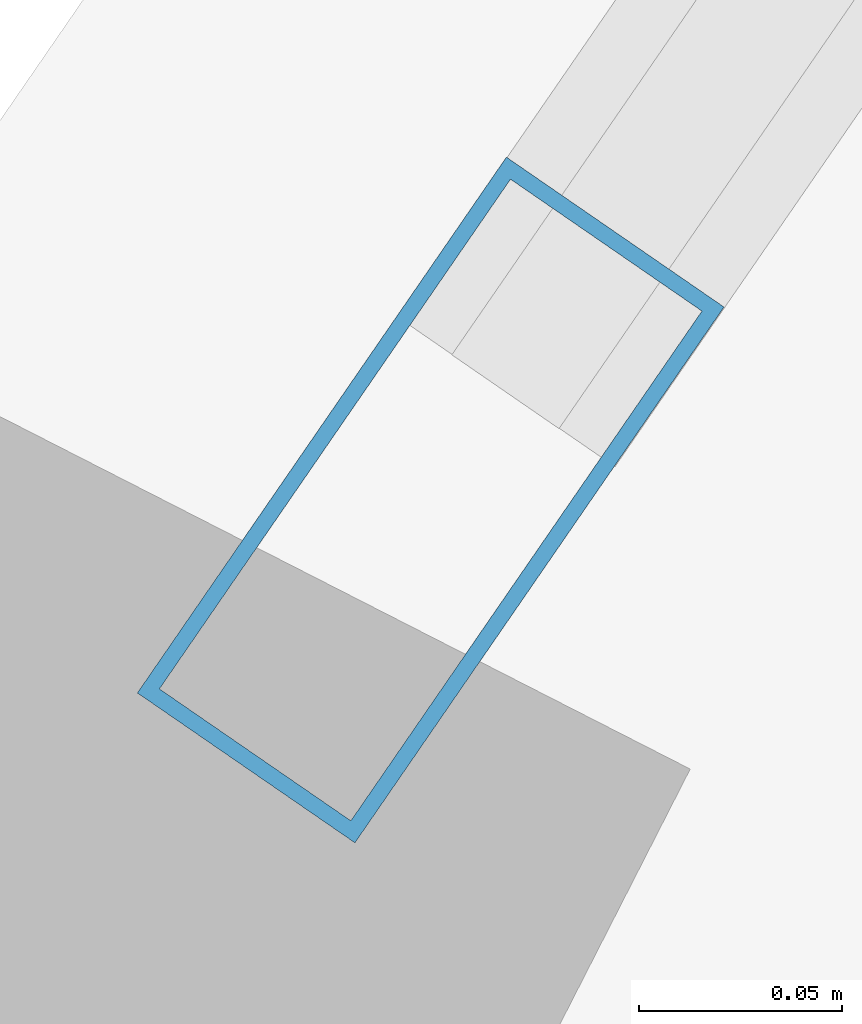
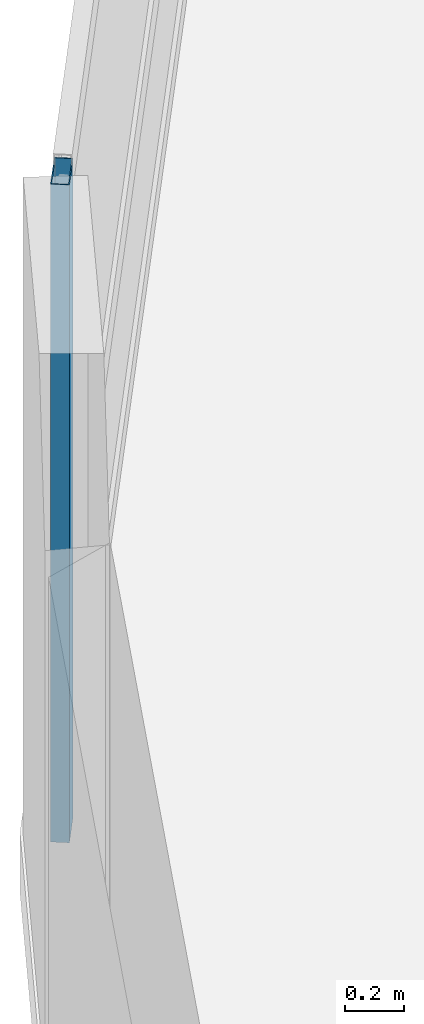
# One storey, part 2 of 25: 1 member, 1 element without a shape of its own.
"""IFC4 building model written with IfcOpenShell, lengths in metres."""

from ifc_helpers import new_model, si_unit, direction, frame, origin, origin_2d, place, context, subcontext, project, spatial, hollow_rectangle, extrude, material, layer, layer_set, material_profile, profile_set, type_object, element, aggregate, save


model = new_model("IFC4")

# Units and contexts
model_context = context("Model", 3, precision=1e-05, world=origin(), true_north=direction((0.0, 1.0)))
body_context = subcontext(model_context, "Body", "Model", "MODEL_VIEW")
ifc_project = project(units=[si_unit("LENGTHUNIT", "METRE"), si_unit("AREAUNIT", "SQUARE_METRE"), si_unit("VOLUMEUNIT", "CUBIC_METRE"), si_unit("PLANEANGLEUNIT", "RADIAN"), si_unit("MASSUNIT", "GRAM", prefix="KILO")], contexts=[model_context])

# Site, building, storey
site_placement = place(None, origin())
site = spatial("IfcSite", under=ifc_project, at=site_placement, CompositionType="ELEMENT")
building_placement = place(site_placement, origin())
building = spatial("IfcBuilding", under=site, at=building_placement, Name="Varnelok Gate Tower", CompositionType="ELEMENT")
storey_placement = place(building_placement, frame((0.0, 0.0, 56.60009765625)))
storey = spatial("IfcBuildingStorey", under=building, at=storey_placement, Name="L13", CompositionType="ELEMENT", Elevation=56.60009765625)

# Curtain wall, member
ifc_material = material(Name="Anodized Aluminum Alloy 6063-T6", Category="aluminium")
ifc_layer = layer(ifc_material, 0.179931640625)
ifc_layer_set = layer_set([ifc_layer], Name="Anodized Aluminum Alloy 6063-T6")
curtain_wall_type = type_object("IfcCurtainWallType", Name="CW3-HOTEL-VISION", PredefinedType="USERDEFINED", material=ifc_layer_set)
curtain_wall_placement = place(storey_placement, origin())
curtain_wall = element("IfcCurtainWall", 1, at=curtain_wall_placement, inside=storey, type_object=curtain_wall_type, Name="L13 West End Vision Curtain Wall", ObjectType="UNITISED CURTAIN WALL", PredefinedType="USERDEFINED")
ifc_material_profile = material_profile(ifc_material, hollow_rectangle(XDim=0.06494140625, YDim=0.159912109375, WallThickness=0.00390625, at=origin_2d()), Name="ALU160X65X4")
ifc_profile_set = profile_set([ifc_material_profile], Name="Anodized Aluminum Alloy 6063-T6")
member_type = type_object("IfcMemberType", Name="CW-MULL-160", PredefinedType="MULLION", material=ifc_profile_set)
member_placement = place(storey_placement, frame((-4.1240234375, 31.2607421875, 0.0), z_axis=(0.0, 0.0, 1.0), x_axis=(-0.823532685111, 0.567268822124, 0.0)))
member = element("IfcMember", 2, at=member_placement, type_object=member_type, Name="CW3 mullion 1", PredefinedType="MULLION", context=body_context, shape_type="SweptSolid", body=[
    extrude(hollow_rectangle(XDim=0.06494140625, YDim=0.159912109375, WallThickness=0.00390625, at=origin_2d()), origin(), (0.0, 0.0, 1.0), 2.72998046875),
])
aggregate(curtain_wall, [member])

save(model, "model.ifc")
